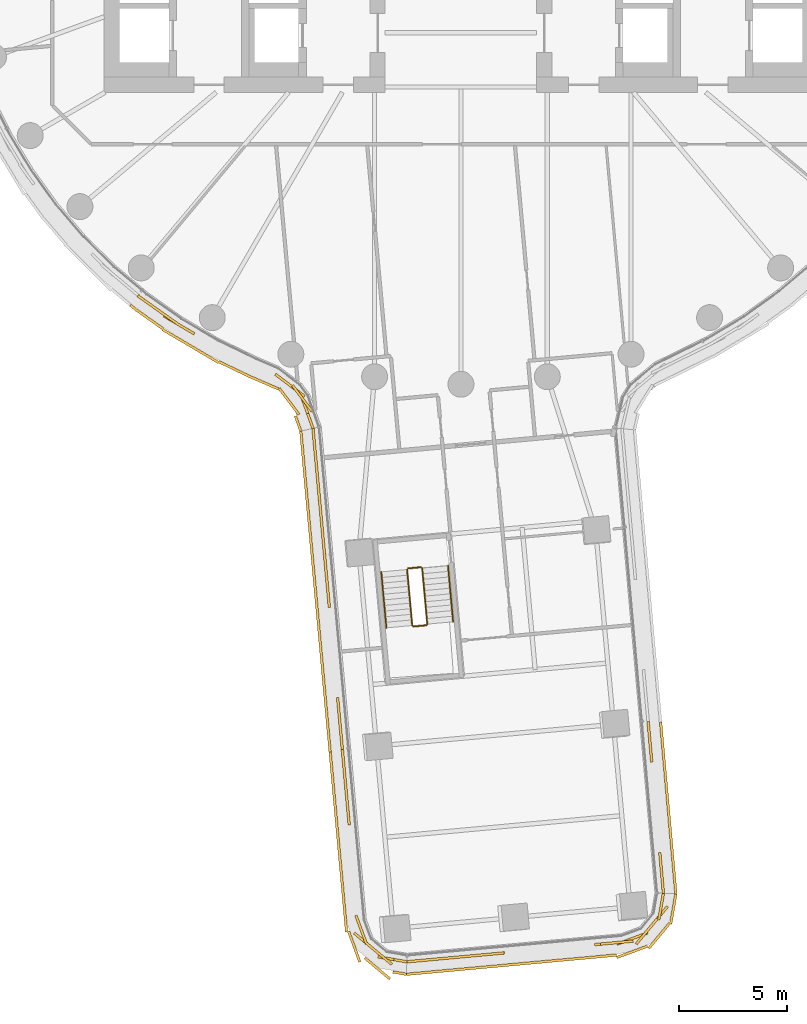
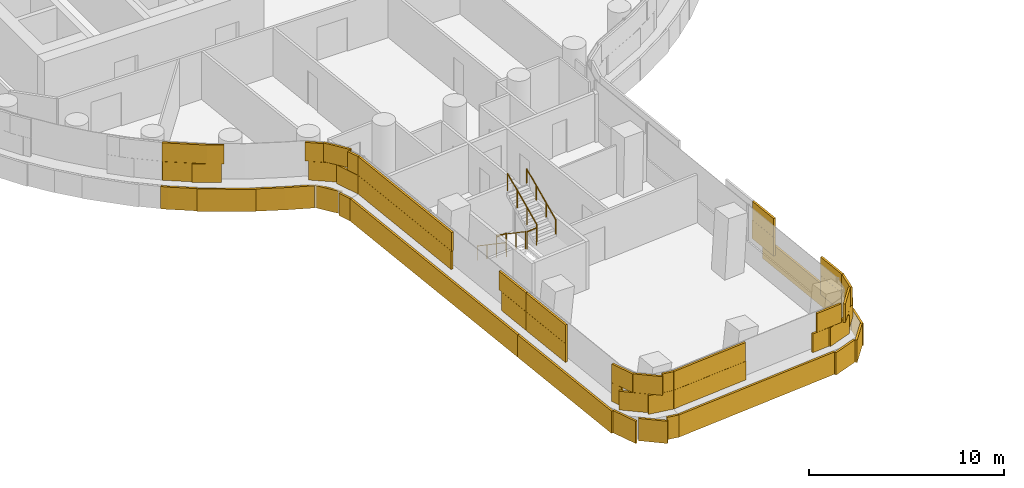
# One storey, part 25 of 31: 6 railings, 5 coverings.
"""IFC4 building model written with IfcOpenShell, lengths in metres."""

from ifc_helpers import new_model, si_unit, direction, frame, origin, origin_2d, place, context, subcontext, project, spatial, rectangle, circle, extrude, material, layer, layer_set, type_object, element, save


model = new_model("IFC4")

# Units and contexts
model_context = context("Model", 3, precision=1e-05, world=origin(), true_north=direction((0.0, 1.0)))
body_context = subcontext(model_context, "Body", "Model", "MODEL_VIEW")
ifc_project = project(units=[si_unit("LENGTHUNIT", "METRE"), si_unit("AREAUNIT", "SQUARE_METRE"), si_unit("VOLUMEUNIT", "CUBIC_METRE"), si_unit("PLANEANGLEUNIT", "RADIAN"), si_unit("MASSUNIT", "GRAM", prefix="KILO")], contexts=[model_context])

# Site, building, storey
site_placement = place(None, origin())
site = spatial("IfcSite", under=ifc_project, at=site_placement, CompositionType="ELEMENT")
building_placement = place(site_placement, origin())
building = spatial("IfcBuilding", under=site, at=building_placement, Name="Tamarind Cross Interchange Tower", CompositionType="ELEMENT")
storey_placement = place(building_placement, frame((0.0, 0.0, 52.75)))
storey = spatial("IfcBuildingStorey", under=building, at=storey_placement, Name="L11", CompositionType="ELEMENT", Elevation=52.75)

# Railings
ifc_material_1 = material(Name="Stair guard")
railing_type_1 = type_object("IfcRailingType", Name="Stair guard", PredefinedType="GUARDRAIL", material=ifc_material_1)
railing_1_placement = place(storey_placement, frame((-2.4892578125, -31.56640625, 0.17041015625)))
element("IfcRailing", 1, at=railing_1_placement, inside=storey, type_object=railing_type_1, Name="L11 ST6 stair guard 1", PredefinedType="GUARDRAIL", context=body_context, shape_type="SweptSolid", body=[
    extrude(circle(Radius=0.02392578125, at=origin_2d()), frame((0.0, 0.0, 1.076171875), z_axis=(0.076095831672, -0.832813513811, 0.548298345443), x_axis=(0.995851537469, 0.090992941047, 0.0)), (0.0, 0.0, 1.0), 3.10888671875),
    extrude(circle(Radius=0.02099609375, at=origin_2d()), origin(), (0.0, 0.0, 1.0), 1.052001953125),
    extrude(circle(Radius=0.02099609375, at=origin_2d()), frame((0.078857421875, -0.863037109375, 0.568115234375)), (0.0, 0.0, 1.0), 1.052001953125),
    extrude(circle(Radius=0.02099609375, at=origin_2d()), frame((0.15771484375, -1.72607421875, 1.136474609375)), (0.0, 0.0, 1.0), 1.052001953125),
    extrude(circle(Radius=0.02099609375, at=origin_2d()), frame((0.236572265625, -2.589111328125, 1.70458984375)), (0.0, 0.0, 1.0), 1.052001953125),
])
railing_2_placement = place(storey_placement, frame((-2.1982421875, -34.200927734375, 1.875)))
element("IfcRailing", 2, at=railing_2_placement, inside=storey, type_object=railing_type_1, Name="L11 ST6 stair guard 2", PredefinedType="GUARDRAIL", context=body_context, shape_type="SweptSolid", body=[
    extrude(circle(Radius=0.02392578125, at=origin_2d()), frame((0.0, 0.0, 1.076171875), z_axis=(0.995836303275, 0.09115951448, 0.0), x_axis=(-0.09115951448, 0.995836303275, 0.0)), (0.0, 0.0, 1.0), 0.599853515625),
    extrude(circle(Radius=0.02099609375, at=origin_2d()), origin(), (0.0, 0.0, 1.0), 1.052001953125),
    extrude(circle(Radius=0.02099609375, at=origin_2d()), frame((0.597412109375, 0.0546875, 0.0)), (0.0, 0.0, 1.0), 1.052001953125),
])
railing_3_placement = place(storey_placement, frame((-1.555419921875, -34.091796875, 2.04541015625)))
element("IfcRailing", 3, at=railing_3_placement, inside=storey, type_object=railing_type_1, Name="L11 ST6 stair guard 3", PredefinedType="GUARDRAIL", context=body_context, shape_type="SweptSolid", body=[
    extrude(circle(Radius=0.02392578125, at=origin_2d()), frame((0.0, 0.0, 1.076171875), z_axis=(-0.076173906507, 0.832808534539, 0.548295067247), x_axis=(-0.995843024037, -0.091086066319, 0.0)), (0.0, 0.0, 1.0), 3.10888671875),
    extrude(circle(Radius=0.02099609375, at=origin_2d()), origin(), (0.0, 0.0, 1.0), 1.052001953125),
    extrude(circle(Radius=0.02099609375, at=origin_2d()), frame((-0.078857421875, 0.863037109375, 0.568115234375)), (0.0, 0.0, 1.0), 1.052001953125),
    extrude(circle(Radius=0.02099609375, at=origin_2d()), frame((-0.157958984375, 1.72607421875, 1.136474609375)), (0.0, 0.0, 1.0), 1.052001953125),
    extrude(circle(Radius=0.02099609375, at=origin_2d()), frame((-0.23681640625, 2.589111328125, 1.70458984375)), (0.0, 0.0, 1.0), 1.052001953125),
])
railing_4_placement = place(storey_placement, frame((-2.444091796875, -31.511962890625, 0.0)))
element("IfcRailing", 4, at=railing_4_placement, inside=storey, type_object=railing_type_1, Name="L11 ST6 stair guard 4", PredefinedType="GUARDRAIL", context=body_context, shape_type="SweptSolid", body=[
    extrude(circle(Radius=0.02392578125, at=origin_2d()), frame((0.0, 0.0, 1.076171875), z_axis=(0.995873166859, 0.090755911814, 0.0), x_axis=(-0.090755911814, 0.995873166859, 0.0)), (0.0, 0.0, 1.0), 0.599853515625),
    extrude(circle(Radius=0.02099609375, at=origin_2d()), origin(), (0.0, 0.0, 1.0), 1.052001953125),
    extrude(circle(Radius=0.02099609375, at=origin_2d()), frame((0.597412109375, 0.054443359375, 0.0)), (0.0, 0.0, 1.0), 1.052001953125),
])
ifc_material_2 = material(Name="Stair handrail")
railing_type_2 = type_object("IfcRailingType", Name="Stair handrail", PredefinedType="HANDRAIL", material=ifc_material_2)
railing_5_placement = place(storey_placement, frame((-3.684326171875, -31.675537109375, 0.17041015625)))
element("IfcRailing", 5, at=railing_5_placement, inside=storey, type_object=railing_type_2, Name="L11 ST6 stair handrail 1", PredefinedType="HANDRAIL", context=body_context, shape_type="SweptSolid", body=[
    extrude(circle(Radius=0.02392578125, at=origin_2d()), frame((0.0, 0.0, 0.8759765625), z_axis=(0.076168924965, -0.832832596061, 0.548259210418), x_axis=(0.995843803011, 0.091077549399, 0.0)), (0.0, 0.0, 1.0), 3.109130859375),
    extrude(circle(Radius=0.02099609375, at=origin_2d()), origin(), (0.0, 0.0, 1.0), 0.851806640625),
    extrude(circle(Radius=0.02099609375, at=origin_2d()), frame((0.078857421875, -0.863037109375, 0.568115234375)), (0.0, 0.0, 1.0), 0.851806640625),
    extrude(circle(Radius=0.02099609375, at=origin_2d()), frame((0.157958984375, -1.726318359375, 1.136474609375)), (0.0, 0.0, 1.0), 0.851806640625),
    extrude(circle(Radius=0.02099609375, at=origin_2d()), frame((0.23681640625, -2.58935546875, 1.70458984375)), (0.0, 0.0, 1.0), 0.851806640625),
])
railing_6_placement = place(storey_placement, frame((-0.360595703125, -33.982666015625, 2.04541015625)))
element("IfcRailing", 6, at=railing_6_placement, inside=storey, type_object=railing_type_2, Name="L11 ST6 stair handrail 2", PredefinedType="HANDRAIL", context=body_context, shape_type="SweptSolid", body=[
    extrude(circle(Radius=0.02392578125, at=origin_2d()), frame((0.0, 0.0, 0.8759765625), z_axis=(-0.076090855177, 0.832837574825, 0.548262487972), x_axis=(-0.995852314858, -0.090984432689, 0.0)), (0.0, 0.0, 1.0), 3.109130859375),
    extrude(circle(Radius=0.02099609375, at=origin_2d()), origin(), (0.0, 0.0, 1.0), 0.851806640625),
    extrude(circle(Radius=0.02099609375, at=origin_2d()), frame((-0.078857421875, 0.863037109375, 0.568115234375)), (0.0, 0.0, 1.0), 0.851806640625),
    extrude(circle(Radius=0.02099609375, at=origin_2d()), frame((-0.15771484375, 1.726318359375, 1.136474609375)), (0.0, 0.0, 1.0), 0.851806640625),
    extrude(circle(Radius=0.02099609375, at=origin_2d()), frame((-0.236572265625, 2.58935546875, 1.70458984375)), (0.0, 0.0, 1.0), 0.851806640625),
])

# Coverings
ifc_material_3 = material(Name="Terracotta", Category="masonry")
ifc_layer = layer(ifc_material_3, 0.1201171875)
ifc_layer_set = layer_set([ifc_layer], Name="Terracotta")
covering_type = type_object("IfcCoveringType", Name="Terracotta baguette screen unit", PredefinedType="MOLDING", material=ifc_layer_set)
covering_1_placement = place(storey_placement, origin())
element("IfcCovering", 7, at=covering_1_placement, inside=storey, type_object=covering_type, Name="SCR-L11-06-01", PredefinedType="MOLDING", context=body_context, shape_type="SweptSolid", body=[
    extrude(rectangle(XDim=0.04150390625, YDim=0.1201171875, at=origin_2d()), frame((-14.91796875, -18.89794921875, 1.404052734375), z_axis=(0.0, 0.0, 1.0), x_axis=(0.765858396687, -0.643009266048, 0.0)), (0.0, 0.0, 1.0), 1.1669921875),
    extrude(rectangle(XDim=1.52001953125, YDim=0.1201171875, at=origin_2d()), frame((-14.306396484375, -19.357666015625, 1.404052734375), z_axis=(0.0, 0.0, 1.0), x_axis=(0.816341886298, -0.577568978284, 0.0)), (0.0, 0.0, 1.0), 1.1669921875),
    extrude(rectangle(XDim=1.52001953125, YDim=0.1201171875, at=origin_2d()), frame((-13.08154296875, -20.2236328125, 1.404052734375), z_axis=(0.0, 0.0, 1.0), x_axis=(0.861248933065, -0.508183308752, 0.0)), (0.0, 0.0, 1.0), 1.1669921875),
    extrude(rectangle(XDim=1.52001953125, YDim=0.1201171875, at=origin_2d()), frame((-7.8369140625, -23.099365234375, 1.404052734375), z_axis=(0.0, 0.0, 1.0), x_axis=(0.796732032299, -0.604332746679, 0.0)), (0.0, 0.0, 1.0), 1.1669921875),
    extrude(rectangle(XDim=1.484619140625, YDim=0.1201171875, at=origin_2d()), frame((-7.08935546875, -24.344970703125, 1.404052734375), z_axis=(0.0, 0.0, 1.0), x_axis=(0.336051012939, -0.941843785722, 0.0)), (0.0, 0.0, 1.0), 1.1669921875),
    extrude(rectangle(XDim=0.79150390625, YDim=0.1201171875, at=origin_2d()), frame((-14.62548828125, -19.132080078125, 2.5791015625), z_axis=(0.0, 0.0, 1.0), x_axis=(0.816341886298, -0.577568978284, 0.0)), (0.0, 0.0, 1.0), 1.1669921875),
    extrude(rectangle(XDim=1.52001953125, YDim=0.1201171875, at=origin_2d()), frame((-13.694091796875, -19.791015625, 2.5791015625), z_axis=(0.0, 0.0, 1.0), x_axis=(0.816341886298, -0.577568978284, 0.0)), (0.0, 0.0, 1.0), 1.1669921875),
    extrude(rectangle(XDim=0.881591796875, YDim=0.1201171875, at=origin_2d()), frame((-12.706298828125, -20.445068359375, 2.5791015625), z_axis=(0.0, 0.0, 1.0), x_axis=(0.861248933065, -0.508183308752, 0.0)), (0.0, 0.0, 1.0), 1.1669921875),
    extrude(rectangle(XDim=0.9384765625, YDim=0.1201171875, at=origin_2d()), frame((-8.206787109375, -22.81884765625, 2.5791015625), z_axis=(0.0, 0.0, 1.0), x_axis=(0.796732032299, -0.604332746679, 0.0)), (0.0, 0.0, 1.0), 1.1669921875),
    extrude(rectangle(XDim=1.52001953125, YDim=0.1201171875, at=origin_2d()), frame((-7.33837890625, -23.651123046875, 2.5791015625), z_axis=(0.0, 0.0, 1.0), x_axis=(0.601175111711, -0.799117316205, 0.0)), (0.0, 0.0, 1.0), 1.1669921875),
    extrude(rectangle(XDim=0.734619140625, YDim=0.1201171875, at=origin_2d()), frame((-6.96337890625, -24.6982421875, 2.5791015625), z_axis=(0.0, 0.0, 1.0), x_axis=(0.336051012939, -0.941843785722, 0.0)), (0.0, 0.0, 1.0), 1.1669921875),
    extrude(rectangle(XDim=0.38916015625, YDim=0.1201171875, at=origin_2d()), frame((-15.13720703125, -19.46337890625, 0.00390625), z_axis=(0.0, 0.0, 1.0), x_axis=(0.765858396687, -0.643009266048, 0.0)), (0.0, 0.0, 1.0), 1.39208984375),
    extrude(rectangle(XDim=1.52001953125, YDim=0.1201171875, at=origin_2d()), frame((-14.379150390625, -20.009521484375, 0.00390625), z_axis=(0.0, 0.0, 1.0), x_axis=(0.816341886298, -0.577568978284, 0.0)), (0.0, 0.0, 1.0), 1.39208984375),
    extrude(rectangle(XDim=1.52001953125, YDim=0.1201171875, at=origin_2d()), frame((-13.14111328125, -20.85498046875, 0.00390625), z_axis=(0.0, 0.0, 1.0), x_axis=(0.861248933065, -0.508183308752, 0.0)), (0.0, 0.0, 1.0), 1.39208984375),
    extrude(rectangle(XDim=1.52001953125, YDim=0.1201171875, at=origin_2d()), frame((-11.849365234375, -21.6171875, 0.00390625), z_axis=(0.0, 0.0, 1.0), x_axis=(0.861248933065, -0.508183308752, 0.0)), (0.0, 0.0, 1.0), 1.39208984375),
    extrude(rectangle(XDim=1.52001953125, YDim=0.1201171875, at=origin_2d()), frame((-10.508056640625, -22.28759765625, 0.00390625), z_axis=(0.0, 0.0, 1.0), x_axis=(0.900272776334, -0.435326231914, 0.0)), (0.0, 0.0, 1.0), 1.39208984375),
    extrude(rectangle(XDim=1.52001953125, YDim=0.1201171875, at=origin_2d()), frame((-9.14453125, -22.91162109375, 0.00390625), z_axis=(0.0, 0.0, 1.0), x_axis=(0.91826371322, -0.395969383896, 0.0)), (0.0, 0.0, 1.0), 1.39208984375),
    extrude(rectangle(XDim=1.52001953125, YDim=0.1201171875, at=origin_2d()), frame((-7.94921875, -23.793701171875, 0.00390625), z_axis=(0.0, 0.0, 1.0), x_axis=(0.601175111711, -0.799117316205, 0.0)), (0.0, 0.0, 1.0), 1.39208984375),
    extrude(rectangle(XDim=0.740478515625, YDim=0.1201171875, at=origin_2d()), frame((-7.531005859375, -24.815185546875, 0.00390625), z_axis=(0.0, 0.0, 1.0), x_axis=(0.336051012939, -0.941843785722, 0.0)), (0.0, 0.0, 1.0), 1.39208984375),
])
covering_2_placement = place(storey_placement, origin())
element("IfcCovering", 8, at=covering_2_placement, inside=storey, type_object=covering_type, Name="SCR-L11-07-00", PredefinedType="MOLDING", context=body_context, shape_type="SweptSolid", body=[
    extrude(rectangle(XDim=0.760009765625, YDim=0.1201171875, at=origin_2d()), frame((-6.8076171875, -25.412841796875, 1.404052734375), z_axis=(0.0, 0.0, 1.0), x_axis=(0.091049727316, -0.995846347162, 0.0)), (0.0, 0.0, 1.0), 1.1669921875),
    extrude(rectangle(XDim=1.52001953125, YDim=0.1201171875, at=origin_2d()), frame((-6.705078125, -26.533203125, 1.404052734375), z_axis=(0.0, 0.0, 1.0), x_axis=(0.091049727316, -0.995846347162, 0.0)), (0.0, 0.0, 1.0), 1.1669921875),
    extrude(rectangle(XDim=1.52001953125, YDim=0.1201171875, at=origin_2d()), frame((-6.568603515625, -28.02685546875, 1.404052734375), z_axis=(0.0, 0.0, 1.0), x_axis=(0.091049727316, -0.995846347162, 0.0)), (0.0, 0.0, 1.0), 1.1669921875),
    extrude(rectangle(XDim=1.52001953125, YDim=0.1201171875, at=origin_2d()), frame((-6.431884765625, -29.520751953125, 1.404052734375), z_axis=(0.0, 0.0, 1.0), x_axis=(0.091049727316, -0.995846347162, 0.0)), (0.0, 0.0, 1.0), 1.1669921875),
    extrude(rectangle(XDim=1.52001953125, YDim=0.1201171875, at=origin_2d()), frame((-6.29541015625, -31.014404296875, 1.404052734375), z_axis=(0.0, 0.0, 1.0), x_axis=(0.091049727316, -0.995846347162, 0.0)), (0.0, 0.0, 1.0), 1.1669921875),
    extrude(rectangle(XDim=1.52001953125, YDim=0.1201171875, at=origin_2d()), frame((-6.15869140625, -32.50830078125, 1.404052734375), z_axis=(0.0, 0.0, 1.0), x_axis=(0.091049727316, -0.995846347162, 0.0)), (0.0, 0.0, 1.0), 1.1669921875),
    extrude(rectangle(XDim=1.52001953125, YDim=0.1201171875, at=origin_2d()), frame((-5.612548828125, -38.4833984375, 1.404052734375), z_axis=(0.0, 0.0, 1.0), x_axis=(0.091049727316, -0.995846347162, 0.0)), (0.0, 0.0, 1.0), 1.1669921875),
    extrude(rectangle(XDim=0.667724609375, YDim=0.1201171875, at=origin_2d()), frame((-5.51416015625, -39.557861328125, 1.404052734375), z_axis=(0.0, 0.0, 1.0), x_axis=(0.091049727316, -0.995846347162, 0.0)), (0.0, 0.0, 1.0), 1.1669921875),
    extrude(rectangle(XDim=1.510009765625, YDim=0.1201171875, at=origin_2d()), frame((-6.7734375, -25.786376953125, 2.5791015625), z_axis=(0.0, 0.0, 1.0), x_axis=(0.091049727316, -0.995846347162, 0.0)), (0.0, 0.0, 1.0), 1.1669921875),
    extrude(rectangle(XDim=1.52001953125, YDim=0.1201171875, at=origin_2d()), frame((-6.63671875, -27.280029296875, 2.5791015625), z_axis=(0.0, 0.0, 1.0), x_axis=(0.091049727316, -0.995846347162, 0.0)), (0.0, 0.0, 1.0), 1.1669921875),
    extrude(rectangle(XDim=1.52001953125, YDim=0.1201171875, at=origin_2d()), frame((-6.500244140625, -28.77392578125, 2.5791015625), z_axis=(0.0, 0.0, 1.0), x_axis=(0.091049727316, -0.995846347162, 0.0)), (0.0, 0.0, 1.0), 1.1669921875),
    extrude(rectangle(XDim=1.52001953125, YDim=0.1201171875, at=origin_2d()), frame((-6.36376953125, -30.267578125, 2.5791015625), z_axis=(0.0, 0.0, 1.0), x_axis=(0.091049727316, -0.995846347162, 0.0)), (0.0, 0.0, 1.0), 1.1669921875),
    extrude(rectangle(XDim=1.52001953125, YDim=0.1201171875, at=origin_2d()), frame((-6.22705078125, -31.761474609375, 2.5791015625), z_axis=(0.0, 0.0, 1.0), x_axis=(0.091049727316, -0.995846347162, 0.0)), (0.0, 0.0, 1.0), 1.1669921875),
    extrude(rectangle(XDim=0.81787109375, YDim=0.1201171875, at=origin_2d()), frame((-6.1220703125, -32.910400390625, 2.5791015625), z_axis=(0.0, 0.0, 1.0), x_axis=(0.091049727316, -0.995846347162, 0.0)), (0.0, 0.0, 1.0), 1.1669921875),
    extrude(rectangle(XDim=1.002197265625, YDim=0.1201171875, at=origin_2d()), frame((-5.65771484375, -37.9892578125, 2.5791015625), z_axis=(0.0, 0.0, 1.0), x_axis=(0.091049727316, -0.995846347162, 0.0)), (0.0, 0.0, 1.0), 1.1669921875),
    extrude(rectangle(XDim=1.417724609375, YDim=0.1201171875, at=origin_2d()), frame((-5.54833984375, -39.184326171875, 2.5791015625), z_axis=(0.0, 0.0, 1.0), x_axis=(0.091049727316, -0.995846347162, 0.0)), (0.0, 0.0, 1.0), 1.1669921875),
    extrude(rectangle(XDim=0.760009765625, YDim=0.1201171875, at=origin_2d()), frame((-7.3720703125, -25.54248046875, 0.00390625), z_axis=(0.0, 0.0, 1.0), x_axis=(0.091049727316, -0.995846347162, 0.0)), (0.0, 0.0, 1.0), 1.39208984375),
    extrude(rectangle(XDim=1.52001953125, YDim=0.1201171875, at=origin_2d()), frame((-7.27001953125, -26.65771484375, 0.00390625), z_axis=(0.0, 0.0, 1.0), x_axis=(0.091049727316, -0.995846347162, 0.0)), (0.0, 0.0, 1.0), 1.39208984375),
    extrude(rectangle(XDim=1.52001953125, YDim=0.1201171875, at=origin_2d()), frame((-7.133544921875, -28.1513671875, 0.00390625), z_axis=(0.0, 0.0, 1.0), x_axis=(0.091049727316, -0.995846347162, 0.0)), (0.0, 0.0, 1.0), 1.39208984375),
    extrude(rectangle(XDim=1.52001953125, YDim=0.1201171875, at=origin_2d()), frame((-6.9970703125, -29.645263671875, 0.00390625), z_axis=(0.0, 0.0, 1.0), x_axis=(0.091049727316, -0.995846347162, 0.0)), (0.0, 0.0, 1.0), 1.39208984375),
    extrude(rectangle(XDim=1.52001953125, YDim=0.1201171875, at=origin_2d()), frame((-6.8603515625, -31.138916015625, 0.00390625), z_axis=(0.0, 0.0, 1.0), x_axis=(0.091049727316, -0.995846347162, 0.0)), (0.0, 0.0, 1.0), 1.39208984375),
    extrude(rectangle(XDim=1.52001953125, YDim=0.1201171875, at=origin_2d()), frame((-6.723876953125, -32.6328125, 0.00390625), z_axis=(0.0, 0.0, 1.0), x_axis=(0.091049727316, -0.995846347162, 0.0)), (0.0, 0.0, 1.0), 1.39208984375),
    extrude(rectangle(XDim=1.52001953125, YDim=0.1201171875, at=origin_2d()), frame((-6.587158203125, -34.12646484375, 0.00390625), z_axis=(0.0, 0.0, 1.0), x_axis=(0.091049727316, -0.995846347162, 0.0)), (0.0, 0.0, 1.0), 1.39208984375),
    extrude(rectangle(XDim=1.52001953125, YDim=0.1201171875, at=origin_2d()), frame((-6.45068359375, -35.620361328125, 0.00390625), z_axis=(0.0, 0.0, 1.0), x_axis=(0.091049727316, -0.995846347162, 0.0)), (0.0, 0.0, 1.0), 1.39208984375),
    extrude(rectangle(XDim=1.52001953125, YDim=0.1201171875, at=origin_2d()), frame((-6.314208984375, -37.114013671875, 0.00390625), z_axis=(0.0, 0.0, 1.0), x_axis=(0.091049727316, -0.995846347162, 0.0)), (0.0, 0.0, 1.0), 1.39208984375),
    extrude(rectangle(XDim=1.52001953125, YDim=0.1201171875, at=origin_2d()), frame((-6.177490234375, -38.60791015625, 0.00390625), z_axis=(0.0, 0.0, 1.0), x_axis=(0.091049727316, -0.995846347162, 0.0)), (0.0, 0.0, 1.0), 1.39208984375),
    extrude(rectangle(XDim=0.669677734375, YDim=0.1201171875, at=origin_2d()), frame((-6.07958984375, -39.67822265625, 0.00390625), z_axis=(0.0, 0.0, 1.0), x_axis=(0.091049727316, -0.995846347162, 0.0)), (0.0, 0.0, 1.0), 1.39208984375),
])
covering_3_placement = place(storey_placement, origin())
element("IfcCovering", 9, at=covering_3_placement, inside=storey, type_object=covering_type, Name="SCR-L11-07-01", PredefinedType="MOLDING", context=body_context, shape_type="SweptSolid", body=[
    extrude(rectangle(XDim=0.852294921875, YDim=0.1201171875, at=origin_2d()), frame((-5.446044921875, -40.3046875, 1.404052734375), z_axis=(0.0, 0.0, 1.0), x_axis=(0.091049727316, -0.995846347162, 0.0)), (0.0, 0.0, 1.0), 1.1669921875),
    extrude(rectangle(XDim=1.52001953125, YDim=0.1201171875, at=origin_2d()), frame((-5.33935546875, -41.470947265625, 1.404052734375), z_axis=(0.0, 0.0, 1.0), x_axis=(0.091049727316, -0.995846347162, 0.0)), (0.0, 0.0, 1.0), 1.1669921875),
    extrude(rectangle(XDim=1.16796875, YDim=0.1201171875, at=origin_2d()), frame((-5.21826171875, -42.79443359375, 1.404052734375), z_axis=(0.0, 0.0, 1.0), x_axis=(0.091049727316, -0.995846347162, 0.0)), (0.0, 0.0, 1.0), 1.1669921875),
    extrude(rectangle(XDim=0.652099609375, YDim=0.1201171875, at=origin_2d()), frame((-4.7421875, -47.870361328125, 1.404052734375), z_axis=(0.0, 0.0, 1.0), x_axis=(0.345691283732, -0.938348302259, 0.0)), (0.0, 0.0, 1.0), 1.1669921875),
    extrude(rectangle(XDim=1.52001953125, YDim=0.1201171875, at=origin_2d()), frame((-4.35205078125, -48.861572265625, 1.404052734375), z_axis=(0.0, 0.0, 1.0), x_axis=(0.768551584708, -0.639787825488, 0.0)), (0.0, 0.0, 1.0), 1.1669921875),
    extrude(rectangle(XDim=1.3681640625, YDim=0.1201171875, at=origin_2d()), frame((-3.168701171875, -49.591552734375, 1.404052734375), z_axis=(0.0, 0.0, 1.0), x_axis=(0.98547910922, -0.16979671755, 0.0)), (0.0, 0.0, 1.0), 1.1669921875),
    extrude(rectangle(XDim=0.102294921875, YDim=0.1201171875, at=origin_2d()), frame((-5.480224609375, -39.93115234375, 2.5791015625), z_axis=(0.0, 0.0, 1.0), x_axis=(0.091049727316, -0.995846347162, 0.0)), (0.0, 0.0, 1.0), 1.1669921875),
    extrude(rectangle(XDim=1.52001953125, YDim=0.1201171875, at=origin_2d()), frame((-5.40771484375, -40.723876953125, 2.5791015625), z_axis=(0.0, 0.0, 1.0), x_axis=(0.091049727316, -0.995846347162, 0.0)), (0.0, 0.0, 1.0), 1.1669921875),
    extrude(rectangle(XDim=1.52001953125, YDim=0.1201171875, at=origin_2d()), frame((-5.27099609375, -42.2177734375, 2.5791015625), z_axis=(0.0, 0.0, 1.0), x_axis=(0.091049727316, -0.995846347162, 0.0)), (0.0, 0.0, 1.0), 1.1669921875),
    extrude(rectangle(XDim=0.41796875, YDim=0.1201171875, at=origin_2d()), frame((-5.184326171875, -43.167724609375, 2.5791015625), z_axis=(0.0, 0.0, 1.0), x_axis=(0.091049727316, -0.995846347162, 0.0)), (0.0, 0.0, 1.0), 1.1669921875),
    extrude(rectangle(XDim=1.402099609375, YDim=0.1201171875, at=origin_2d()), frame((-4.612548828125, -48.222412109375, 2.5791015625), z_axis=(0.0, 0.0, 1.0), x_axis=(0.345691283732, -0.938348302259, 0.0)), (0.0, 0.0, 1.0), 1.1669921875),
    extrude(rectangle(XDim=1.52001953125, YDim=0.1201171875, at=origin_2d()), frame((-3.775634765625, -49.34130859375, 2.5791015625), z_axis=(0.0, 0.0, 1.0), x_axis=(0.768551584708, -0.639787825488, 0.0)), (0.0, 0.0, 1.0), 1.1669921875),
    extrude(rectangle(XDim=0.6181640625, YDim=0.1201171875, at=origin_2d()), frame((-2.799072265625, -49.6552734375, 2.5791015625), z_axis=(0.0, 0.0, 1.0), x_axis=(0.98547910922, -0.16979671755, 0.0)), (0.0, 0.0, 1.0), 1.1669921875),
    extrude(rectangle(XDim=0.850341796875, YDim=0.1201171875, at=origin_2d()), frame((-6.010498046875, -40.43505859375, 0.00390625), z_axis=(0.0, 0.0, 1.0), x_axis=(0.091049727316, -0.995846347162, 0.0)), (0.0, 0.0, 1.0), 1.39208984375),
    extrude(rectangle(XDim=1.52001953125, YDim=0.1201171875, at=origin_2d()), frame((-5.904296875, -41.595458984375, 0.00390625), z_axis=(0.0, 0.0, 1.0), x_axis=(0.091049727316, -0.995846347162, 0.0)), (0.0, 0.0, 1.0), 1.39208984375),
    extrude(rectangle(XDim=1.52001953125, YDim=0.1201171875, at=origin_2d()), frame((-5.767822265625, -43.089111328125, 0.00390625), z_axis=(0.0, 0.0, 1.0), x_axis=(0.091049727316, -0.995846347162, 0.0)), (0.0, 0.0, 1.0), 1.39208984375),
    extrude(rectangle(XDim=1.52001953125, YDim=0.1201171875, at=origin_2d()), frame((-5.631103515625, -44.5830078125, 0.00390625), z_axis=(0.0, 0.0, 1.0), x_axis=(0.091049727316, -0.995846347162, 0.0)), (0.0, 0.0, 1.0), 1.39208984375),
    extrude(rectangle(XDim=1.52001953125, YDim=0.1201171875, at=origin_2d()), frame((-5.49462890625, -46.07666015625, 0.00390625), z_axis=(0.0, 0.0, 1.0), x_axis=(0.091049727316, -0.995846347162, 0.0)), (0.0, 0.0, 1.0), 1.39208984375),
    extrude(rectangle(XDim=1.52001953125, YDim=0.1201171875, at=origin_2d()), frame((-5.358154296875, -47.570556640625, 0.00390625), z_axis=(0.0, 0.0, 1.0), x_axis=(0.091049727316, -0.995846347162, 0.0)), (0.0, 0.0, 1.0), 1.39208984375),
    extrude(rectangle(XDim=1.52001953125, YDim=0.1201171875, at=origin_2d()), frame((-4.9375, -49.000244140625, 0.00390625), z_axis=(0.0, 0.0, 1.0), x_axis=(0.345691283732, -0.938348302259, 0.0)), (0.0, 0.0, 1.0), 1.39208984375),
    extrude(rectangle(XDim=1.52001953125, YDim=0.1201171875, at=origin_2d()), frame((-3.86328125, -50.015380859375, 0.00390625), z_axis=(0.0, 0.0, 1.0), x_axis=(0.768551584708, -0.639787825488, 0.0)), (0.0, 0.0, 1.0), 1.39208984375),
    extrude(rectangle(XDim=0.637451171875, YDim=0.1201171875, at=origin_2d()), frame((-2.836669921875, -50.231201171875, 0.00390625), z_axis=(0.0, 0.0, 1.0), x_axis=(0.98547910922, -0.16979671755, 0.0)), (0.0, 0.0, 1.0), 1.39208984375),
])
covering_4_placement = place(storey_placement, origin())
element("IfcCovering", 10, at=covering_4_placement, inside=storey, type_object=covering_type, Name="SCR-L11-08-00", PredefinedType="MOLDING", context=body_context, shape_type="SweptSolid", body=[
    extrude(rectangle(XDim=0.760009765625, YDim=0.1201171875, at=origin_2d()), frame((-2.1259765625, -49.672607421875, 1.404052734375), z_axis=(0.0, 0.0, 1.0), x_axis=(0.995846347162, 0.091049727316, 0.0)), (0.0, 0.0, 1.0), 1.1669921875),
    extrude(rectangle(XDim=1.52001953125, YDim=0.1201171875, at=origin_2d()), frame((-1.005859375, -49.5703125, 1.404052734375), z_axis=(0.0, 0.0, 1.0), x_axis=(0.995846347162, 0.091049727316, 0.0)), (0.0, 0.0, 1.0), 1.1669921875),
    extrude(rectangle(XDim=1.52001953125, YDim=0.1201171875, at=origin_2d()), frame((0.488037109375, -49.43359375, 1.404052734375), z_axis=(0.0, 0.0, 1.0), x_axis=(0.995846347162, 0.091049727316, 0.0)), (0.0, 0.0, 1.0), 1.1669921875),
    extrude(rectangle(XDim=0.78466796875, YDim=0.1201171875, at=origin_2d()), frame((1.62060546875, -49.330078125, 1.404052734375), z_axis=(0.0, 0.0, 1.0), x_axis=(0.995846347162, 0.091049727316, 0.0)), (0.0, 0.0, 1.0), 1.1669921875),
    extrude(rectangle(XDim=1.03515625, YDim=0.1201171875, at=origin_2d()), frame((6.699462890625, -48.86572265625, 1.404052734375), z_axis=(0.0, 0.0, 1.0), x_axis=(0.995846347162, 0.091049727316, 0.0)), (0.0, 0.0, 1.0), 1.1669921875),
    extrude(rectangle(XDim=1.52001953125, YDim=0.1201171875, at=origin_2d()), frame((7.929443359375, -48.62939453125, 1.404052734375), z_axis=(0.0, 0.0, 1.0), x_axis=(0.938348302259, 0.345691283732, 0.0)), (0.0, 0.0, 1.0), 1.1669921875),
    extrude(rectangle(XDim=1.52001953125, YDim=0.1201171875, at=origin_2d()), frame((9.06689453125, -47.728271484375, 1.404052734375), z_axis=(0.0, 0.0, 1.0), x_axis=(0.639787825488, 0.768551584708, 0.0)), (0.0, 0.0, 1.0), 1.1669921875),
    extrude(rectangle(XDim=0.509521484375, YDim=0.1201171875, at=origin_2d()), frame((9.3203125, -46.78173828125, 1.404052734375), z_axis=(0.0, 0.0, 1.0), x_axis=(0.16979671755, 0.98547910922, 0.0)), (0.0, 0.0, 1.0), 1.1669921875),
    extrude(rectangle(XDim=1.510009765625, YDim=0.1201171875, at=origin_2d()), frame((-1.752685546875, -49.638427734375, 2.5791015625), z_axis=(0.0, 0.0, 1.0), x_axis=(0.995846347162, 0.091049727316, 0.0)), (0.0, 0.0, 1.0), 1.1669921875),
    extrude(rectangle(XDim=1.52001953125, YDim=0.1201171875, at=origin_2d()), frame((-0.2587890625, -49.501953125, 2.5791015625), z_axis=(0.0, 0.0, 1.0), x_axis=(0.995846347162, 0.091049727316, 0.0)), (0.0, 0.0, 1.0), 1.1669921875),
    extrude(rectangle(XDim=1.52001953125, YDim=0.1201171875, at=origin_2d()), frame((1.23486328125, -49.365478515625, 2.5791015625), z_axis=(0.0, 0.0, 1.0), x_axis=(0.995846347162, 0.091049727316, 0.0)), (0.0, 0.0, 1.0), 1.1669921875),
    extrude(rectangle(XDim=1.52001953125, YDim=0.1201171875, at=origin_2d()), frame((7.2099609375, -48.819091796875, 2.5791015625), z_axis=(0.0, 0.0, 1.0), x_axis=(0.995846347162, 0.091049727316, 0.0)), (0.0, 0.0, 1.0), 1.1669921875),
    extrude(rectangle(XDim=1.52001953125, YDim=0.1201171875, at=origin_2d()), frame((8.5869140625, -48.3046875, 2.5791015625), z_axis=(0.0, 0.0, 1.0), x_axis=(0.639787825488, 0.768551584708, 0.0)), (0.0, 0.0, 1.0), 1.1669921875),
    extrude(rectangle(XDim=1.259521484375, YDim=0.1201171875, at=origin_2d()), frame((9.2568359375, -47.151123046875, 2.5791015625), z_axis=(0.0, 0.0, 1.0), x_axis=(0.16979671755, 0.98547910922, 0.0)), (0.0, 0.0, 1.0), 1.1669921875),
    extrude(rectangle(XDim=0.760009765625, YDim=0.1201171875, at=origin_2d()), frame((-2.14404296875, -50.250732421875, 0.00390625), z_axis=(0.0, 0.0, 1.0), x_axis=(0.995846347162, 0.091049727316, 0.0)), (0.0, 0.0, 1.0), 1.39208984375),
    extrude(rectangle(XDim=1.52001953125, YDim=0.1201171875, at=origin_2d()), frame((-1.02880859375, -50.148681640625, 0.00390625), z_axis=(0.0, 0.0, 1.0), x_axis=(0.995846347162, 0.091049727316, 0.0)), (0.0, 0.0, 1.0), 1.39208984375),
    extrude(rectangle(XDim=1.52001953125, YDim=0.1201171875, at=origin_2d()), frame((0.465087890625, -50.01220703125, 0.00390625), z_axis=(0.0, 0.0, 1.0), x_axis=(0.995846347162, 0.091049727316, 0.0)), (0.0, 0.0, 1.0), 1.39208984375),
    extrude(rectangle(XDim=1.52001953125, YDim=0.1201171875, at=origin_2d()), frame((1.958740234375, -49.87548828125, 0.00390625), z_axis=(0.0, 0.0, 1.0), x_axis=(0.995846347162, 0.091049727316, 0.0)), (0.0, 0.0, 1.0), 1.39208984375),
    extrude(rectangle(XDim=1.52001953125, YDim=0.1201171875, at=origin_2d()), frame((3.45263671875, -49.739013671875, 0.00390625), z_axis=(0.0, 0.0, 1.0), x_axis=(0.995846347162, 0.091049727316, 0.0)), (0.0, 0.0, 1.0), 1.39208984375),
    extrude(rectangle(XDim=1.52001953125, YDim=0.1201171875, at=origin_2d()), frame((4.9462890625, -49.6025390625, 0.00390625), z_axis=(0.0, 0.0, 1.0), x_axis=(0.995846347162, 0.091049727316, 0.0)), (0.0, 0.0, 1.0), 1.39208984375),
    extrude(rectangle(XDim=1.52001953125, YDim=0.1201171875, at=origin_2d()), frame((6.440185546875, -49.4658203125, 0.00390625), z_axis=(0.0, 0.0, 1.0), x_axis=(0.995846347162, 0.091049727316, 0.0)), (0.0, 0.0, 1.0), 1.39208984375),
    extrude(rectangle(XDim=1.52001953125, YDim=0.1201171875, at=origin_2d()), frame((7.915283203125, -49.24658203125, 0.00390625), z_axis=(0.0, 0.0, 1.0), x_axis=(0.938348302259, 0.345691283732, 0.0)), (0.0, 0.0, 1.0), 1.39208984375),
    extrude(rectangle(XDim=1.52001953125, YDim=0.1201171875, at=origin_2d()), frame((9.166015625, -48.506103515625, 0.00390625), z_axis=(0.0, 0.0, 1.0), x_axis=(0.639787825488, 0.768551584708, 0.0)), (0.0, 0.0, 1.0), 1.39208984375),
    extrude(rectangle(XDim=1.42626953125, YDim=0.1201171875, at=origin_2d()), frame((9.820068359375, -47.261962890625, 0.00390625), z_axis=(0.0, 0.0, 1.0), x_axis=(0.16979671755, 0.98547910922, 0.0)), (0.0, 0.0, 1.0), 1.39208984375),
])
covering_5_placement = place(storey_placement, origin())
element("IfcCovering", 11, at=covering_5_placement, inside=storey, type_object=covering_type, Name="SCR-L11-09-00", PredefinedType="MOLDING", context=body_context, shape_type="SweptSolid", body=[
    extrude(rectangle(XDim=0.760009765625, YDim=0.1201171875, at=origin_2d()), frame((9.32958984375, -46.162109375, 1.404052734375), z_axis=(0.0, 0.0, 1.0), x_axis=(-0.088684340968, 0.996059781171, 0.0)), (0.0, 0.0, 1.0), 1.1669921875),
    extrude(rectangle(XDim=1.146484375, YDim=0.1201171875, at=origin_2d()), frame((9.245849609375, -45.222412109375, 1.404052734375), z_axis=(0.0, 0.0, 1.0), x_axis=(-0.088684340968, 0.996059781171, 0.0)), (0.0, 0.0, 1.0), 1.1669921875),
    extrude(rectangle(XDim=0.673583984375, YDim=0.1201171875, at=origin_2d()), frame((8.793701171875, -40.142578125, 1.404052734375), z_axis=(0.0, 0.0, 1.0), x_axis=(-0.088684340968, 0.996059781171, 0.0)), (0.0, 0.0, 1.0), 1.1669921875),
    extrude(rectangle(XDim=1.233154296875, YDim=0.1201171875, at=origin_2d()), frame((8.7099609375, -39.202880859375, 1.404052734375), z_axis=(0.0, 0.0, 1.0), x_axis=(-0.088684340968, 0.996059781171, 0.0)), (0.0, 0.0, 1.0), 1.1669921875),
    extrude(rectangle(XDim=1.510009765625, YDim=0.1201171875, at=origin_2d()), frame((9.29638671875, -45.78857421875, 2.5791015625), z_axis=(0.0, 0.0, 1.0), x_axis=(-0.088684340968, 0.996059781171, 0.0)), (0.0, 0.0, 1.0), 1.1669921875),
    extrude(rectangle(XDim=0.396484375, YDim=0.1201171875, at=origin_2d()), frame((9.212646484375, -44.848876953125, 2.5791015625), z_axis=(0.0, 0.0, 1.0), x_axis=(-0.088684340968, 0.996059781171, 0.0)), (0.0, 0.0, 1.0), 1.1669921875),
    extrude(rectangle(XDim=1.423583984375, YDim=0.1201171875, at=origin_2d()), frame((8.76025390625, -39.76904296875, 2.5791015625), z_axis=(0.0, 0.0, 1.0), x_axis=(-0.088684340968, 0.996059781171, 0.0)), (0.0, 0.0, 1.0), 1.1669921875),
    extrude(rectangle(XDim=0.483154296875, YDim=0.1201171875, at=origin_2d()), frame((8.6767578125, -38.82958984375, 2.5791015625), z_axis=(0.0, 0.0, 1.0), x_axis=(-0.088684340968, 0.996059781171, 0.0)), (0.0, 0.0, 1.0), 1.1669921875),
    extrude(rectangle(XDim=0.760009765625, YDim=0.1201171875, at=origin_2d()), frame((9.907470703125, -46.1806640625, 0.00390625), z_axis=(0.0, 0.0, 1.0), x_axis=(-0.088684340968, 0.996059781171, 0.0)), (0.0, 0.0, 1.0), 1.39208984375),
    extrude(rectangle(XDim=1.52001953125, YDim=0.1201171875, at=origin_2d()), frame((9.80810546875, -45.065185546875, 0.00390625), z_axis=(0.0, 0.0, 1.0), x_axis=(-0.088684340968, 0.996059781171, 0.0)), (0.0, 0.0, 1.0), 1.39208984375),
    extrude(rectangle(XDim=1.52001953125, YDim=0.1201171875, at=origin_2d()), frame((9.675048828125, -43.571044921875, 0.00390625), z_axis=(0.0, 0.0, 1.0), x_axis=(-0.088684340968, 0.996059781171, 0.0)), (0.0, 0.0, 1.0), 1.39208984375),
    extrude(rectangle(XDim=1.52001953125, YDim=0.1201171875, at=origin_2d()), frame((9.5419921875, -42.076904296875, 0.00390625), z_axis=(0.0, 0.0, 1.0), x_axis=(-0.088684340968, 0.996059781171, 0.0)), (0.0, 0.0, 1.0), 1.39208984375),
    extrude(rectangle(XDim=1.52001953125, YDim=0.1201171875, at=origin_2d()), frame((9.4091796875, -40.582763671875, 0.00390625), z_axis=(0.0, 0.0, 1.0), x_axis=(-0.088684340968, 0.996059781171, 0.0)), (0.0, 0.0, 1.0), 1.39208984375),
    extrude(rectangle(XDim=1.2265625, YDim=0.1201171875, at=origin_2d()), frame((9.2890625, -39.23486328125, 0.00390625), z_axis=(0.0, 0.0, 1.0), x_axis=(-0.088684340968, 0.996059781171, 0.0)), (0.0, 0.0, 1.0), 1.39208984375),
])

save(model, "model.ifc")
